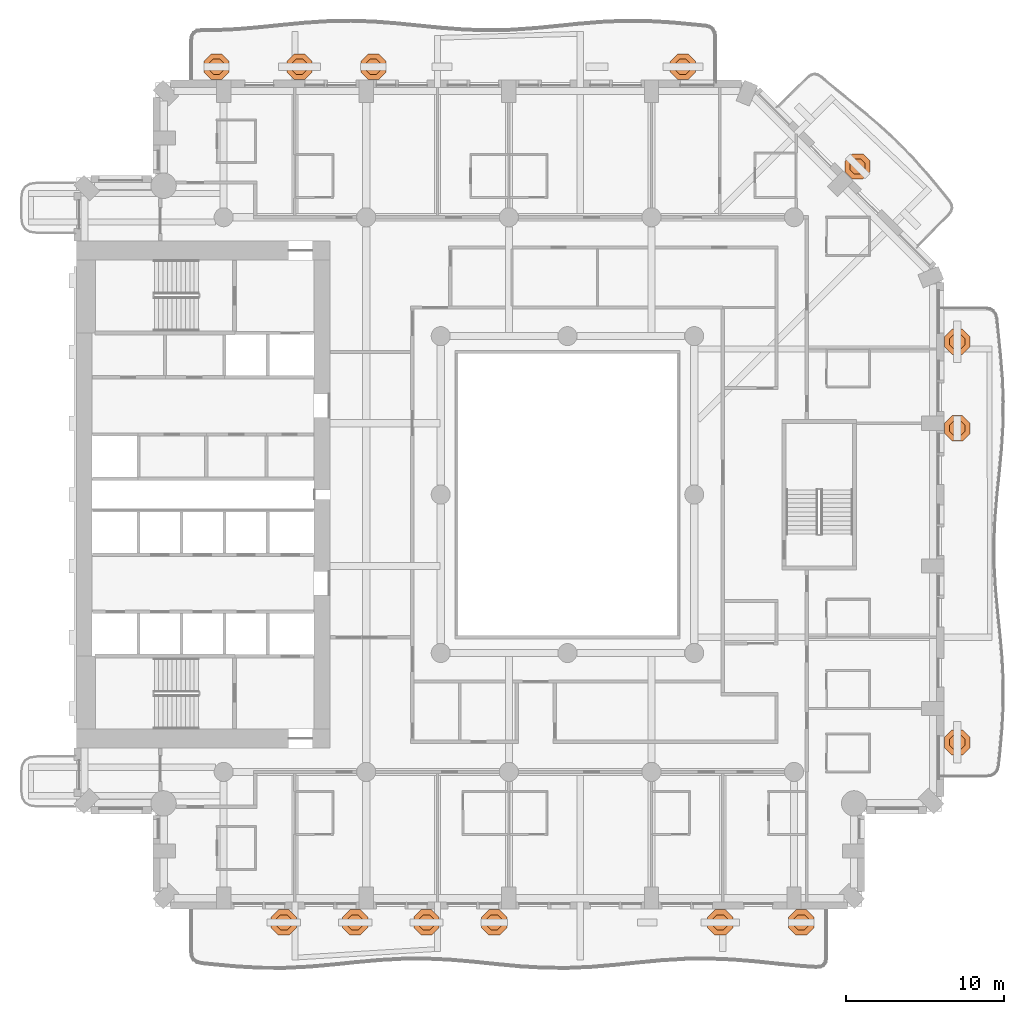
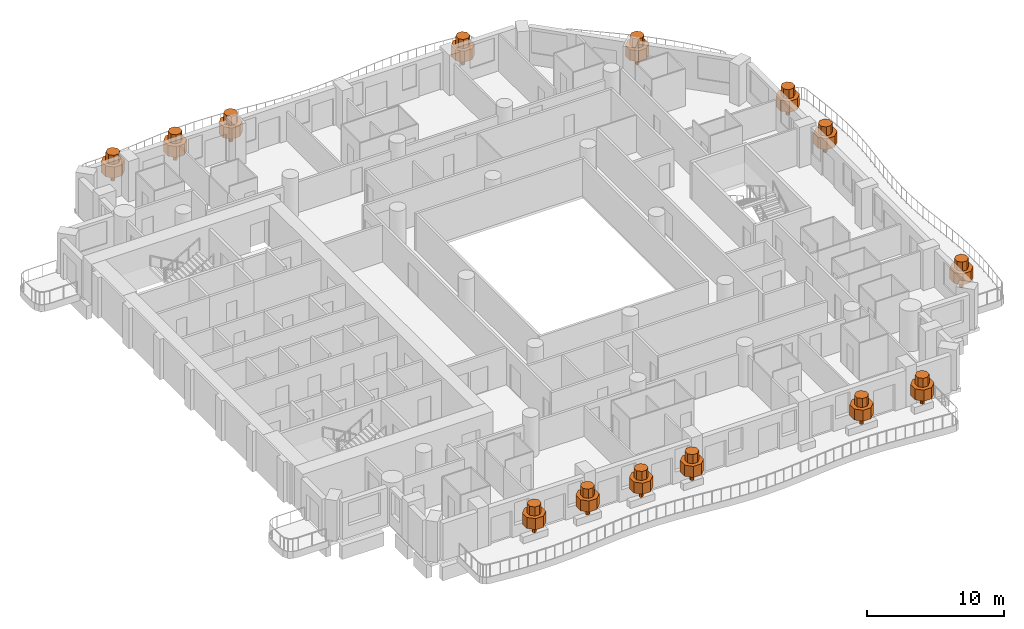
# One storey, part 20 of 20: 14 geographic elements.
"""IFC4 building model written with IfcOpenShell, lengths in metres."""

from ifc_helpers import new_model, si_unit, direction, frame, origin, place, context, subcontext, project, spatial, polyline, outline, extrude, material, type_object, element, save


model = new_model("IFC4")

# Units and contexts
model_context = context("Model", 3, precision=1e-05, world=origin(), true_north=direction((0.0, 1.0)))
body_context = subcontext(model_context, "Body", "Model", "MODEL_VIEW")
ifc_project = project(units=[si_unit("LENGTHUNIT", "METRE"), si_unit("AREAUNIT", "SQUARE_METRE"), si_unit("VOLUMEUNIT", "CUBIC_METRE"), si_unit("PLANEANGLEUNIT", "RADIAN"), si_unit("MASSUNIT", "GRAM", prefix="KILO")], contexts=[model_context])

# Site, building, storey
site_placement = place(None, origin())
site = spatial("IfcSite", under=ifc_project, at=site_placement, CompositionType="ELEMENT")
building_placement = place(site_placement, origin())
building = spatial("IfcBuilding", under=site, at=building_placement, Name="Cypress Arch Tower", CompositionType="ELEMENT")
storey_placement = place(building_placement, frame((0.0, 0.0, 91.5)))
storey = spatial("IfcBuildingStorey", under=building, at=storey_placement, Name="L17", CompositionType="ELEMENT", Elevation=91.5)

# Geographic elements
ifc_material = material(Name="Foliage and planting")
geographic_element_type = type_object("IfcGeographicElementType", Name="Balcony tree TR", PredefinedType="USERDEFINED", material=ifc_material)
for number, where, z_axis, x_axis, name in (
    (1, (-16.89990234375, -27.0, 0.60009765625), (0.0, 0.0, 1.0), (1.0, 0.0, 0.0), "Balcony tree L17-A03.1"),
    (2, (-12.39990234375, -27.0, 0.60009765625), (0.0, 0.0, 1.0), (1.0, 0.0, 0.0), "Balcony tree L17-A03.2"),
    (3, (-7.89990234375, -27.0, 0.60009765625), (0.0, 0.0, 1.0), (1.0, 0.0, 0.0), "Balcony tree L17-A03.3"),
    (4, (-3.625, -27.0, 0.60009765625), (0.0, 0.0, 1.0), (1.0, 0.0, 0.0), "Balcony tree L17-A03.4"),
    (5, (10.639892578125, -27.0, 0.60009765625), (0.0, 0.0, 1.0), (1.0, 0.0, 0.0), "Balcony tree L17-A03.6"),
    (6, (15.75, -27.0, 0.60009765625), (0.0, 0.0, 1.0), (1.0, 0.0, 0.0), "Balcony tree L17-A03.7"),
    (7, (25.60009765625, -15.642822265625, 0.60009765625), (0.0, 0.0, 1.0), (1.0, 0.0, 0.0), "Balcony tree L17-A06.1"),
    (8, (25.60009765625, 4.1826171875, 0.60009765625), (0.0, 0.0, 1.0), (1.0, 0.0, 0.0), "Balcony tree L17-A06.2"),
    (9, (25.60009765625, 9.642822265625, 0.60009765625), (0.0, 0.0, 1.0), (1.0, 0.0, 0.0), "Balcony tree L17-A06.3"),
    (10, (19.30712890625, 20.70703125, 0.60009765625), (0.0, 0.0, 1.0), (1.0, 0.0, 0.0), "Balcony tree L17-A07.2"),
    (11, (8.28125, 27.0, 0.60009765625), (0.0, 0.0, 1.0), (1.0, 0.0, 0.0), "Balcony tree L17-A08.1"),
    (12, (-11.24365234375, 27.0, 0.60009765625), (0.0, 0.0, 1.0), (1.0, 0.0, 0.0), "Balcony tree L17-A08.4"),
    (13, (-15.91259765625, 27.0, 0.60009765625), (0.0, 0.0, 1.0), (1.0, 0.0, 0.0), "Balcony tree L17-A08.5"),
    (14, (-21.14990234375, 27.0, 0.60009765625), (0.0, 0.0, 1.0), (1.0, 0.0, 0.0), "Balcony tree L17-A08.6"),
):
    element("IfcGeographicElement", number, at=place(storey_placement, frame(where, z_axis=z_axis, x_axis=x_axis)), inside=storey, type_object=geographic_element_type, Name=name, ObjectType="TREE", PredefinedType="USERDEFINED", context=body_context, shape_type="SweptSolid", body=[
        extrude(outline(polyline([(0.14990234375, 0.06201171875), (0.06201171875, 0.14990234375), (-0.06201171875, 0.14990234375), (-0.14990234375, 0.06201171875), (-0.14990234375, -0.06201171875), (-0.06201171875, -0.14990234375), (0.06201171875, -0.14990234375), (0.14990234375, -0.06201171875), (0.14990234375, 0.06201171875)])), origin(), (0.0, 0.0, 1.0), 0.864990234375),
        extrude(outline(polyline([(0.800048828125, 0.331298828125), (0.331298828125, 0.800048828125), (-0.331298828125, 0.800048828125), (-0.800048828125, 0.331298828125), (-0.800048828125, -0.331298828125), (-0.331298828125, -0.800048828125), (0.331298828125, -0.800048828125), (0.800048828125, -0.331298828125), (0.800048828125, 0.331298828125)])), frame((0.0, 0.0, 0.764892578125)), (0.0, 0.0, 1.0), 0.981689453125),
        extrude(outline(polyline([(0.47998046875, 0.19873046875), (0.19873046875, 0.47998046875), (-0.19873046875, 0.47998046875), (-0.47998046875, 0.19873046875), (-0.47998046875, -0.19873046875), (-0.19873046875, -0.47998046875), (0.19873046875, -0.47998046875), (0.47998046875, -0.19873046875), (0.47998046875, 0.19873046875)])), frame((0.0, 0.0, 1.746826171875)), (0.0, 0.0, 1.0), 0.80322265625),
    ])

save(model, "model.ifc")
